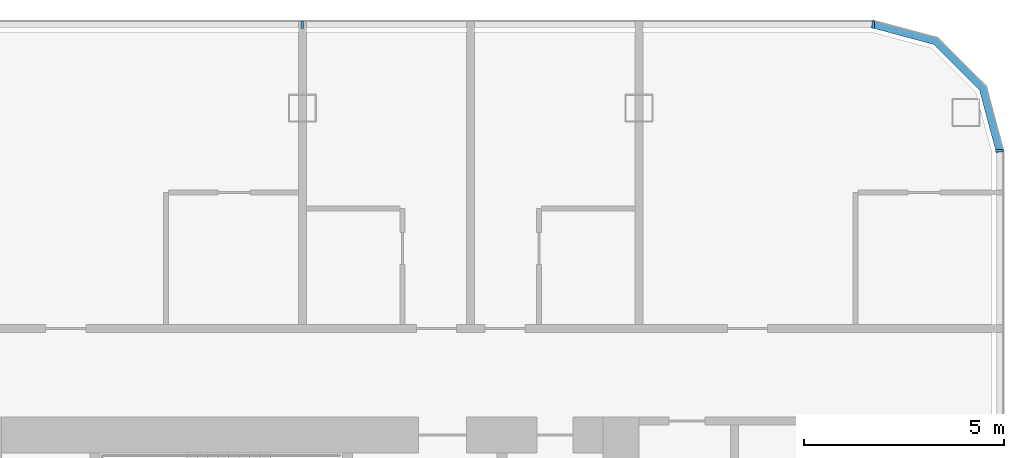
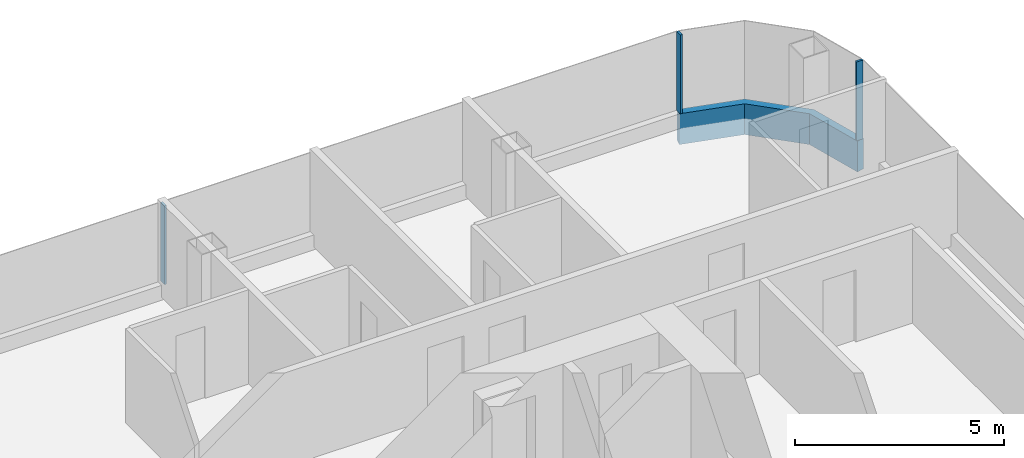
# One storey, part 10 of 26: 4 members, 3 elements without a shape of their own.
"""IFC4 building model written with IfcOpenShell, lengths in metres."""

import ifcopenshell
import ifcopenshell.guid

model = None  # the IFC model being written
_history = None  # IfcOwnerHistory: only IFC2X3 demands one
_inside = {}  # id of a spatial element -> (the spatial element, [elements in it])
_under = {}  # id of a project, library or spatial element -> (it, [spatial elements below it])
_declared = {}  # id of a project -> (the project, [libraries it declares])
_typed = {}  # id of a type object -> (the type object, [elements of that type])
_made_of = {}  # id of a material, layer set ... -> (it, [elements and type objects made of it])


def new_model(schema):
    """Start an empty IFC model of exactly this schema.

    Asked for "IFC4X3", IfcOpenShell would pick the latest addendum, in which some entities
    have other attributes; the version numbers below select the first issue.
    IFC2X3 requires an IfcOwnerHistory on every rooted entity: one is made here for all.
    """
    global model, _history
    if schema == "IFC4X3":
        model = ifcopenshell.file(schema_version=(4, 3, 0, 0))
    else:
        model = ifcopenshell.file(schema=schema)
    _inside.clear()
    _under.clear()
    _declared.clear()
    _typed.clear()
    _made_of.clear()
    _history = None
    if model.schema == "IFC2X3":
        org = make("IfcOrganization", Name="unknown")
        user = make(
            "IfcPersonAndOrganization",
            ThePerson=make("IfcPerson", FamilyName="unknown"),
            TheOrganization=org,
        )
        app = make(
            "IfcApplication",
            ApplicationDeveloper=org,
            Version="unknown",
            ApplicationFullName="unknown",
            ApplicationIdentifier="unknown",
        )
        _history = make(
            "IfcOwnerHistory",
            OwningUser=user,
            OwningApplication=app,
            ChangeAction="ADDED",
            CreationDate=0,
        )
    return model


def make(cls, **values):
    """One entity of the class cls with the attributes given. An attribute that is None is left unset."""
    return model.create_entity(
        cls, **{name: value for name, value in values.items() if value is not None}
    )


def rooted(cls, **values):
    """An entity with a GlobalId (a new one), such as an element, a storey or a relation."""
    return make(cls, GlobalId=ifcopenshell.guid.new(), OwnerHistory=_history, **values)


def si_unit(unit_type, name, prefix=None):
    """IfcSIUnit, for example si_unit("LENGTHUNIT", "METRE", prefix="MILLI")."""
    return make("IfcSIUnit", UnitType=unit_type, Prefix=prefix, Name=name)


def assignment(units):
    """IfcUnitAssignment: the units of a project."""
    return None if units is None else make("IfcUnitAssignment", Units=units)


def point(xyz):
    """IfcCartesianPoint."""
    return None if xyz is None else make("IfcCartesianPoint", Coordinates=xyz)


def direction(xyz):
    """IfcDirection."""
    return None if xyz is None else make("IfcDirection", DirectionRatios=xyz)


def frame(location, z_axis=None, x_axis=None):
    """IfcAxis2Placement3D, a coordinate frame: its origin and axes. An axis left out is left unset."""
    return make(
        "IfcAxis2Placement3D",
        Location=point(location),
        Axis=direction(z_axis),
        RefDirection=direction(x_axis),
    )


def frame_2d(location, x_axis=None):
    """IfcAxis2Placement2D, a coordinate frame in the plane: its origin and x axis."""
    return make(
        "IfcAxis2Placement2D", Location=point(location), RefDirection=direction(x_axis)
    )


def origin():
    """The frame at (0, 0, 0) with its axes left unset."""
    return frame((0.0, 0.0, 0.0))


def origin_2d():
    """The frame at (0, 0) in the plane with its x axis left unset."""
    return frame_2d((0.0, 0.0))


def place(relative_to, where):
    """IfcLocalPlacement: puts the frame where relative to a parent placement (None: the world)."""
    return make(
        "IfcLocalPlacement", PlacementRelTo=relative_to, RelativePlacement=where
    )


def context(
    kind, dimensions, precision=None, world=None, true_north=None, identifier=None
):
    """IfcGeometricRepresentationContext, for example the 3D "Model" context."""
    return make(
        "IfcGeometricRepresentationContext",
        ContextIdentifier=identifier,
        ContextType=kind,
        CoordinateSpaceDimension=dimensions,
        Precision=precision,
        WorldCoordinateSystem=world,
        TrueNorth=true_north,
    )


def subcontext(parent, identifier, kind, view, scale=None):
    """IfcGeometricRepresentationSubContext, for example "Body" below "Model"."""
    return make(
        "IfcGeometricRepresentationSubContext",
        ContextIdentifier=identifier,
        ContextType=kind,
        ParentContext=parent,
        TargetScale=scale,
        TargetView=view,
    )


def project(units=None, contexts=None):
    """IfcProject with its units and contexts."""
    return rooted(
        "IfcProject",
        Name="project",
        RepresentationContexts=contexts,
        UnitsInContext=assignment(units),
    )


def spatial(cls, under=None, at=None, **own):
    """A site, building, storey or space (cls), placed at a placement, below another one or the project."""
    s = rooted(cls, ObjectPlacement=at, **own)
    if under is not None:
        _under.setdefault(under.id(), (under, []))[1].append(s)
    return s


def polyline(points):
    """IfcPolyline through the points."""
    return make("IfcPolyline", Points=[point(p) for p in points])


def profile(cls, at=None, kind="AREA", **sizes):
    """A parametric profile (cls). Its sizes go by their IFC names, for example OverallWidth=200.0."""
    return make(cls, ProfileType=kind, Position=at, **sizes)


def rectangle(**sizes):
    """IfcRectangleProfileDef."""
    return profile("IfcRectangleProfileDef", **sizes)


def outline(outer, holes=None, kind="AREA"):
    """IfcArbitraryClosedProfileDef: a profile drawn as a closed curve; with holes, ...WithVoids."""
    if holes is None:
        return make("IfcArbitraryClosedProfileDef", ProfileType=kind, OuterCurve=outer)
    return make(
        "IfcArbitraryProfileDefWithVoids",
        ProfileType=kind,
        OuterCurve=outer,
        InnerCurves=holes,
    )


def extrude(swept, where, along, depth):
    """IfcExtrudedAreaSolid: the profile swept, set in the frame where, extruded along a direction by depth."""
    return make(
        "IfcExtrudedAreaSolid",
        SweptArea=swept,
        Position=where,
        ExtrudedDirection=direction(along),
        Depth=depth,
    )


def shape(context_of_items, identifier, shape_type, items):
    """IfcShapeRepresentation: the items that make up one representation, for example the "Body"."""
    return make(
        "IfcShapeRepresentation",
        ContextOfItems=context_of_items,
        RepresentationIdentifier=identifier,
        RepresentationType=shape_type,
        Items=items,
    )


def material(Name=None, Category=None):
    """IfcMaterial."""
    return make("IfcMaterial", Name=Name, Category=Category)


def layer(
    of_material, thickness, ventilated=None, Name=None, Category=None, Priority=None
):
    """IfcMaterialLayer: one layer of a wall or slab, of a material (None: an air gap)."""
    return make(
        "IfcMaterialLayer",
        Material=of_material,
        LayerThickness=thickness,
        IsVentilated=ventilated,
        Name=Name,
        Category=Category,
        Priority=Priority,
    )


def layer_set(layers, Name=None):
    """IfcMaterialLayerSet."""
    return make("IfcMaterialLayerSet", MaterialLayers=layers, LayerSetName=Name)


def material_profile(
    of_material, cross_section, Name=None, Category=None, Priority=None
):
    """IfcMaterialProfile: a cross section and its material."""
    return make(
        "IfcMaterialProfile",
        Name=Name,
        Material=of_material,
        Profile=cross_section,
        Priority=Priority,
        Category=Category,
    )


def profile_set(profiles, Name=None, composite=None):
    """IfcMaterialProfileSet."""
    return make(
        "IfcMaterialProfileSet",
        Name=Name,
        MaterialProfiles=profiles,
        CompositeProfile=composite,
    )


def made_of(thing, what):
    """Note that an element or type object is made of a material, layer set ...; save() writes the relation."""
    if what is not None:
        _made_of.setdefault(what.id(), (what, []))[1].append(thing)
    return thing


def type_object(cls, material=None, **own):
    """A type object (cls), such as IfcWallType, which elements share."""
    return made_of(rooted(cls, **own), material)


def element(
    cls,
    number,
    at=None,
    inside=None,
    cuts=None,
    type_object=None,
    material=None,
    context=None,
    identifier="Body",
    shape_type=None,
    held_by="IfcProductDefinitionShape",
    body=None,
    shapes=None,
    **own,
):
    """One element of the class cls, such as IfcWall. Its Tag is "e" and its number.

    at: its placement. inside: the storey or other place that contains it. cuts: it is an
    opening in that element (IfcRelVoidsElement). A single representation is given by context,
    identifier, shape_type and body (its items); several are given by shapes. held_by: the class
    of the entity that holds the representations. save() writes the other relations.
    """
    e = rooted(cls, Tag="e%d" % number, ObjectPlacement=at, **own)
    if body is not None:
        shapes = [shape(context, identifier, shape_type, body)]
    if shapes is not None:
        e.Representation = make(held_by, Representations=shapes)
    if inside is not None:
        _inside.setdefault(inside.id(), (inside, []))[1].append(e)
    if cuts is not None:
        rooted(
            "IfcRelVoidsElement", RelatingBuildingElement=cuts, RelatedOpeningElement=e
        )
    if type_object is not None:
        _typed.setdefault(type_object.id(), (type_object, []))[1].append(e)
    return made_of(e, material)


def aggregate(whole, parts):
    """IfcRelAggregates: a whole, such as a stair, and the parts it consists of."""
    return rooted("IfcRelAggregates", RelatingObject=whole, RelatedObjects=parts)


def save(model, path):
    """Write the relations noted so far, then the file.

    IfcRelAggregates (storeys below a building ...), IfcRelContainedInSpatialStructure (elements
    in a storey), IfcRelDefinesByType, IfcRelAssociatesMaterial and IfcRelDeclares: one each for
    every whole, place, type object, material and project.
    """
    for whole, parts in _under.values():
        aggregate(whole, parts)
    for where, things in _inside.values():
        rooted(
            "IfcRelContainedInSpatialStructure",
            RelatedElements=things,
            RelatingStructure=where,
        )
    for kind, things in _typed.values():
        rooted("IfcRelDefinesByType", RelatedObjects=things, RelatingType=kind)
    for what, things in _made_of.values():
        rooted("IfcRelAssociatesMaterial", RelatedObjects=things, RelatingMaterial=what)
    for by, libraries in _declared.values():
        rooted("IfcRelDeclares", RelatingContext=by, RelatedDefinitions=libraries)
    model.write(path)


model = new_model("IFC4")

# Units and contexts
model_context = context("Model", 3, precision=1e-05, world=origin(), true_north=direction((0.0, 1.0)))
body_context = subcontext(model_context, "Body", "Model", "MODEL_VIEW")
ifc_project = project(units=[si_unit("LENGTHUNIT", "METRE"), si_unit("AREAUNIT", "SQUARE_METRE"), si_unit("VOLUMEUNIT", "CUBIC_METRE"), si_unit("PLANEANGLEUNIT", "RADIAN"), si_unit("MASSUNIT", "GRAM", prefix="KILO")], contexts=[model_context])

# Site, building, storey
site_placement = place(None, origin())
site = spatial("IfcSite", under=ifc_project, at=site_placement, CompositionType="ELEMENT")
building_placement = place(site_placement, origin())
building = spatial("IfcBuilding", under=site, at=building_placement, Name="Hakoniwa Tower and Hamabe Station Hall", CompositionType="ELEMENT")
storey_placement = place(building_placement, frame((0.0, 0.0, 153.39990234375)))
storey = spatial("IfcBuildingStorey", under=building, at=storey_placement, Name="L43", CompositionType="ELEMENT", Elevation=153.39990234375)

# Curtain wall, member
ifc_material_1 = material(Name="Dark low-e laminated glass", Category="glass")
ifc_layer = layer(ifc_material_1, 0.199951171875)
ifc_layer_set = layer_set([ifc_layer], Name="CW-1 UNITISED GUEST")
curtain_wall_type = type_object("IfcCurtainWallType", Name="CW-1 UNITISED GUEST", PredefinedType="NOTDEFINED", material=ifc_layer_set)
curtain_wall_1_placement = place(storey_placement, origin())
curtain_wall_1 = element("IfcCurtainWall", 1, at=curtain_wall_1_placement, inside=storey, type_object=curtain_wall_type, Name="CW-1 curtain wall", PredefinedType="NOTDEFINED")
ifc_material_2 = material(Name="Aluminium 6063-T5 black anodised", Category="aluminium")
ifc_material_profile_1 = material_profile(ifc_material_2, rectangle(XDim=0.199951171875, YDim=0.89990234375, at=origin_2d()), Name="CW SLAB-EDGE BAND 900X200")
ifc_profile_set_1 = profile_set([ifc_material_profile_1], Name="Aluminium 6063-T5 black anodised")
member_type_1 = type_object("IfcMemberType", Name="CW SLAB-EDGE BAND 900X200", PredefinedType="USERDEFINED", material=ifc_profile_set_1)
member_1_placement = place(storey_placement, frame((0.0, 0.0, -0.5498046875)))
member_1 = element("IfcMember", 2, at=member_1_placement, type_object=member_type_1, Name="CW-1 transom", ObjectType="TRANSOM", PredefinedType="USERDEFINED", context=body_context, shape_type="SweptSolid", body=[
    extrude(outline(polyline([(42.699951171875, 15.03955078125), (42.26708984375, 16.6552734375), (41.05517578125, 17.866943359375), (39.439453125, 18.300048828125), (39.3876953125, 18.10693359375), (40.95166015625, 17.687744140625), (42.087646484375, 16.5517578125), (42.5068359375, 14.98779296875), (42.699951171875, 15.03955078125)])), origin(), (0.0, 0.0, 1.0), 0.89990234375),
])
aggregate(curtain_wall_1, [member_1])

curtain_wall_2_placement = place(storey_placement, origin())
curtain_wall_2 = element("IfcCurtainWall", 3, at=curtain_wall_2_placement, inside=storey, type_object=curtain_wall_type, Name="CW-1 curtain wall", PredefinedType="NOTDEFINED")
ifc_material_3 = material(Name="Aluminium 6063-T5 black anodised", Category="aluminium")
ifc_material_profile_2 = material_profile(ifc_material_3, rectangle(XDim=0.06005859375, YDim=0.179931640625, at=origin_2d()), Name="CW-1 MULLION 60X180")
ifc_profile_set_2 = profile_set([ifc_material_profile_2], Name="Aluminium 6063-T5 black anodised")
member_type_2 = type_object("IfcMemberType", Name="CW-1 MULLION 60X180", PredefinedType="MULLION", material=ifc_profile_set_2)
member_2_placement = place(storey_placement, frame((42.58203125, 15.03955078125, 0.35009765625), z_axis=(0.0, 0.0, 1.0), x_axis=(0.0, 1.0, 0.0)))
member_2 = element("IfcMember", 4, at=member_2_placement, type_object=member_type_2, Name="CW-1 mullion", PredefinedType="MULLION", context=body_context, shape_type="SweptSolid", body=[
    extrude(rectangle(XDim=0.06005859375, YDim=0.179931640625, at=origin_2d()), origin(), (0.0, 0.0, 1.0), 2.300048828125),
])
aggregate(curtain_wall_2, [member_2])

# Curtain wall, members
curtain_wall_3_placement = place(storey_placement, origin())
curtain_wall_3 = element("IfcCurtainWall", 5, at=curtain_wall_3_placement, inside=storey, type_object=curtain_wall_type, Name="CW-1 curtain wall", PredefinedType="NOTDEFINED")
member_3_placement = place(storey_placement, frame((39.439453125, 18.181884765625, 0.35009765625), z_axis=(0.0, 0.0, 1.0), x_axis=(-1.0, 0.0, 0.0)))
member_3 = element("IfcMember", 6, at=member_3_placement, type_object=member_type_2, Name="CW-1 mullion", PredefinedType="MULLION", context=body_context, shape_type="SweptSolid", body=[
    extrude(rectangle(XDim=0.06005859375, YDim=0.179931640625, at=origin_2d()), origin(), (0.0, 0.0, 1.0), 2.300048828125),
])
member_4_placement = place(storey_placement, frame((25.199951171875, 18.181884765625, 0.35009765625), z_axis=(0.0, 0.0, 1.0), x_axis=(-1.0, 0.0, 0.0)))
member_4 = element("IfcMember", 7, at=member_4_placement, type_object=member_type_2, Name="CW-1 mullion", PredefinedType="MULLION", context=body_context, shape_type="SweptSolid", body=[
    extrude(rectangle(XDim=0.06005859375, YDim=0.179931640625, at=origin_2d()), origin(), (0.0, 0.0, 1.0), 2.300048828125),
])
aggregate(curtain_wall_3, [member_3, member_4])

save(model, "model.ifc")
